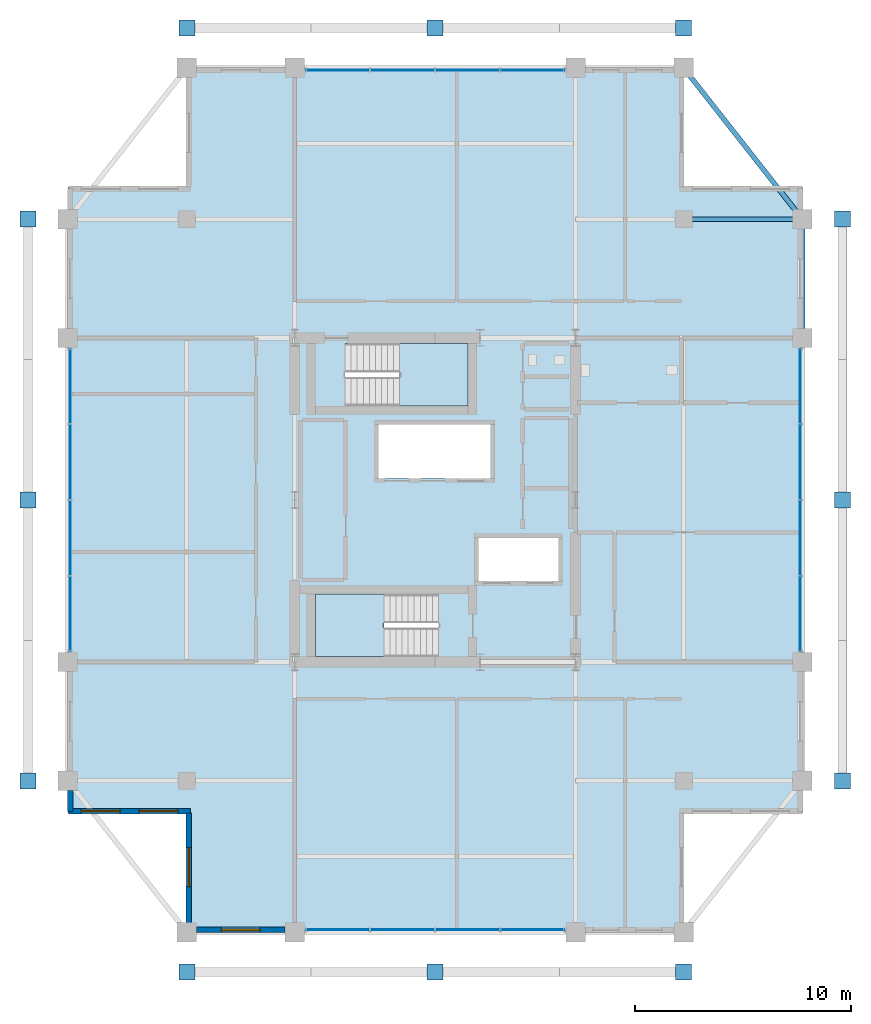
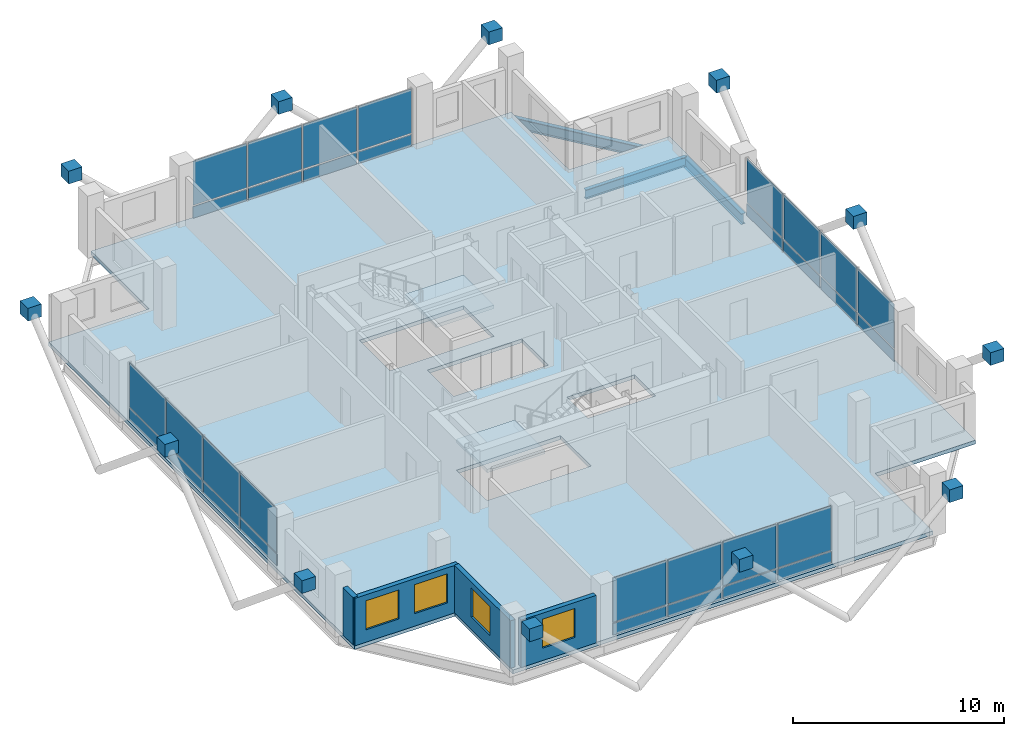
# One storey, part 17 of 22: 44 plates, 4 walls, 4 windows, 3 beams, 3 slabs, 4 openings, 6 elements without a shape of their own.
"""IFC4 building model written with IfcOpenShell, lengths in metres."""

import ifcopenshell
import ifcopenshell.guid

model = None  # the IFC model being written
_history = None  # IfcOwnerHistory: only IFC2X3 demands one
_inside = {}  # id of a spatial element -> (the spatial element, [elements in it])
_under = {}  # id of a project, library or spatial element -> (it, [spatial elements below it])
_declared = {}  # id of a project -> (the project, [libraries it declares])
_typed = {}  # id of a type object -> (the type object, [elements of that type])
_made_of = {}  # id of a material, layer set ... -> (it, [elements and type objects made of it])


def new_model(schema):
    """Start an empty IFC model of exactly this schema.

    Asked for "IFC4X3", IfcOpenShell would pick the latest addendum, in which some entities
    have other attributes; the version numbers below select the first issue.
    IFC2X3 requires an IfcOwnerHistory on every rooted entity: one is made here for all.
    """
    global model, _history
    if schema == "IFC4X3":
        model = ifcopenshell.file(schema_version=(4, 3, 0, 0))
    else:
        model = ifcopenshell.file(schema=schema)
    _inside.clear()
    _under.clear()
    _declared.clear()
    _typed.clear()
    _made_of.clear()
    _history = None
    if model.schema == "IFC2X3":
        org = make("IfcOrganization", Name="unknown")
        user = make(
            "IfcPersonAndOrganization",
            ThePerson=make("IfcPerson", FamilyName="unknown"),
            TheOrganization=org,
        )
        app = make(
            "IfcApplication",
            ApplicationDeveloper=org,
            Version="unknown",
            ApplicationFullName="unknown",
            ApplicationIdentifier="unknown",
        )
        _history = make(
            "IfcOwnerHistory",
            OwningUser=user,
            OwningApplication=app,
            ChangeAction="ADDED",
            CreationDate=0,
        )
    return model


def make(cls, **values):
    """One entity of the class cls with the attributes given. An attribute that is None is left unset."""
    return model.create_entity(
        cls, **{name: value for name, value in values.items() if value is not None}
    )


def rooted(cls, **values):
    """An entity with a GlobalId (a new one), such as an element, a storey or a relation."""
    return make(cls, GlobalId=ifcopenshell.guid.new(), OwnerHistory=_history, **values)


def si_unit(unit_type, name, prefix=None):
    """IfcSIUnit, for example si_unit("LENGTHUNIT", "METRE", prefix="MILLI")."""
    return make("IfcSIUnit", UnitType=unit_type, Prefix=prefix, Name=name)


def assignment(units):
    """IfcUnitAssignment: the units of a project."""
    return None if units is None else make("IfcUnitAssignment", Units=units)


def point(xyz):
    """IfcCartesianPoint."""
    return None if xyz is None else make("IfcCartesianPoint", Coordinates=xyz)


def direction(xyz):
    """IfcDirection."""
    return None if xyz is None else make("IfcDirection", DirectionRatios=xyz)


def frame(location, z_axis=None, x_axis=None):
    """IfcAxis2Placement3D, a coordinate frame: its origin and axes. An axis left out is left unset."""
    return make(
        "IfcAxis2Placement3D",
        Location=point(location),
        Axis=direction(z_axis),
        RefDirection=direction(x_axis),
    )


def frame_2d(location, x_axis=None):
    """IfcAxis2Placement2D, a coordinate frame in the plane: its origin and x axis."""
    return make(
        "IfcAxis2Placement2D", Location=point(location), RefDirection=direction(x_axis)
    )


def origin():
    """The frame at (0, 0, 0) with its axes left unset."""
    return frame((0.0, 0.0, 0.0))


def origin_2d():
    """The frame at (0, 0) in the plane with its x axis left unset."""
    return frame_2d((0.0, 0.0))


def place(relative_to, where):
    """IfcLocalPlacement: puts the frame where relative to a parent placement (None: the world)."""
    return make(
        "IfcLocalPlacement", PlacementRelTo=relative_to, RelativePlacement=where
    )


def context(
    kind, dimensions, precision=None, world=None, true_north=None, identifier=None
):
    """IfcGeometricRepresentationContext, for example the 3D "Model" context."""
    return make(
        "IfcGeometricRepresentationContext",
        ContextIdentifier=identifier,
        ContextType=kind,
        CoordinateSpaceDimension=dimensions,
        Precision=precision,
        WorldCoordinateSystem=world,
        TrueNorth=true_north,
    )


def subcontext(parent, identifier, kind, view, scale=None):
    """IfcGeometricRepresentationSubContext, for example "Body" below "Model"."""
    return make(
        "IfcGeometricRepresentationSubContext",
        ContextIdentifier=identifier,
        ContextType=kind,
        ParentContext=parent,
        TargetScale=scale,
        TargetView=view,
    )


def project(units=None, contexts=None):
    """IfcProject with its units and contexts."""
    return rooted(
        "IfcProject",
        Name="project",
        RepresentationContexts=contexts,
        UnitsInContext=assignment(units),
    )


def spatial(cls, under=None, at=None, **own):
    """A site, building, storey or space (cls), placed at a placement, below another one or the project."""
    s = rooted(cls, ObjectPlacement=at, **own)
    if under is not None:
        _under.setdefault(under.id(), (under, []))[1].append(s)
    return s


def polyline(points):
    """IfcPolyline through the points."""
    return make("IfcPolyline", Points=[point(p) for p in points])


def profile(cls, at=None, kind="AREA", **sizes):
    """A parametric profile (cls). Its sizes go by their IFC names, for example OverallWidth=200.0."""
    return make(cls, ProfileType=kind, Position=at, **sizes)


def rectangle(**sizes):
    """IfcRectangleProfileDef."""
    return profile("IfcRectangleProfileDef", **sizes)


def i_section(**sizes):
    """IfcIShapeProfileDef."""
    return profile("IfcIShapeProfileDef", **sizes)


def outline(outer, holes=None, kind="AREA"):
    """IfcArbitraryClosedProfileDef: a profile drawn as a closed curve; with holes, ...WithVoids."""
    if holes is None:
        return make("IfcArbitraryClosedProfileDef", ProfileType=kind, OuterCurve=outer)
    return make(
        "IfcArbitraryProfileDefWithVoids",
        ProfileType=kind,
        OuterCurve=outer,
        InnerCurves=holes,
    )


def extrude(swept, where, along, depth):
    """IfcExtrudedAreaSolid: the profile swept, set in the frame where, extruded along a direction by depth."""
    return make(
        "IfcExtrudedAreaSolid",
        SweptArea=swept,
        Position=where,
        ExtrudedDirection=direction(along),
        Depth=depth,
    )


def shape(context_of_items, identifier, shape_type, items):
    """IfcShapeRepresentation: the items that make up one representation, for example the "Body"."""
    return make(
        "IfcShapeRepresentation",
        ContextOfItems=context_of_items,
        RepresentationIdentifier=identifier,
        RepresentationType=shape_type,
        Items=items,
    )


def material(Name=None, Category=None):
    """IfcMaterial."""
    return make("IfcMaterial", Name=Name, Category=Category)


def layer(
    of_material, thickness, ventilated=None, Name=None, Category=None, Priority=None
):
    """IfcMaterialLayer: one layer of a wall or slab, of a material (None: an air gap)."""
    return make(
        "IfcMaterialLayer",
        Material=of_material,
        LayerThickness=thickness,
        IsVentilated=ventilated,
        Name=Name,
        Category=Category,
        Priority=Priority,
    )


def layer_set(layers, Name=None):
    """IfcMaterialLayerSet."""
    return make("IfcMaterialLayerSet", MaterialLayers=layers, LayerSetName=Name)


def material_profile(
    of_material, cross_section, Name=None, Category=None, Priority=None
):
    """IfcMaterialProfile: a cross section and its material."""
    return make(
        "IfcMaterialProfile",
        Name=Name,
        Material=of_material,
        Profile=cross_section,
        Priority=Priority,
        Category=Category,
    )


def profile_set(profiles, Name=None, composite=None):
    """IfcMaterialProfileSet."""
    return make(
        "IfcMaterialProfileSet",
        Name=Name,
        MaterialProfiles=profiles,
        CompositeProfile=composite,
    )


def made_of(thing, what):
    """Note that an element or type object is made of a material, layer set ...; save() writes the relation."""
    if what is not None:
        _made_of.setdefault(what.id(), (what, []))[1].append(thing)
    return thing


def type_object(cls, material=None, **own):
    """A type object (cls), such as IfcWallType, which elements share."""
    return made_of(rooted(cls, **own), material)


def element(
    cls,
    number,
    at=None,
    inside=None,
    cuts=None,
    type_object=None,
    material=None,
    context=None,
    identifier="Body",
    shape_type=None,
    held_by="IfcProductDefinitionShape",
    body=None,
    shapes=None,
    **own,
):
    """One element of the class cls, such as IfcWall. Its Tag is "e" and its number.

    at: its placement. inside: the storey or other place that contains it. cuts: it is an
    opening in that element (IfcRelVoidsElement). A single representation is given by context,
    identifier, shape_type and body (its items); several are given by shapes. held_by: the class
    of the entity that holds the representations. save() writes the other relations.
    """
    e = rooted(cls, Tag="e%d" % number, ObjectPlacement=at, **own)
    if body is not None:
        shapes = [shape(context, identifier, shape_type, body)]
    if shapes is not None:
        e.Representation = make(held_by, Representations=shapes)
    if inside is not None:
        _inside.setdefault(inside.id(), (inside, []))[1].append(e)
    if cuts is not None:
        rooted(
            "IfcRelVoidsElement", RelatingBuildingElement=cuts, RelatedOpeningElement=e
        )
    if type_object is not None:
        _typed.setdefault(type_object.id(), (type_object, []))[1].append(e)
    return made_of(e, material)


def fill(opening, filler):
    """IfcRelFillsElement: the door or window that sits in an opening."""
    return rooted(
        "IfcRelFillsElement",
        RelatingOpeningElement=opening,
        RelatedBuildingElement=filler,
    )


def aggregate(whole, parts):
    """IfcRelAggregates: a whole, such as a stair, and the parts it consists of."""
    return rooted("IfcRelAggregates", RelatingObject=whole, RelatedObjects=parts)


def save(model, path):
    """Write the relations noted so far, then the file.

    IfcRelAggregates (storeys below a building ...), IfcRelContainedInSpatialStructure (elements
    in a storey), IfcRelDefinesByType, IfcRelAssociatesMaterial and IfcRelDeclares: one each for
    every whole, place, type object, material and project.
    """
    for whole, parts in _under.values():
        aggregate(whole, parts)
    for where, things in _inside.values():
        rooted(
            "IfcRelContainedInSpatialStructure",
            RelatedElements=things,
            RelatingStructure=where,
        )
    for kind, things in _typed.values():
        rooted("IfcRelDefinesByType", RelatedObjects=things, RelatingType=kind)
    for what, things in _made_of.values():
        rooted("IfcRelAssociatesMaterial", RelatedObjects=things, RelatingMaterial=what)
    for by, libraries in _declared.values():
        rooted("IfcRelDeclares", RelatingContext=by, RelatedDefinitions=libraries)
    model.write(path)


model = new_model("IFC4")

# Units and contexts
model_context = context("Model", 3, precision=1e-05, world=origin(), true_north=direction((0.0, 1.0)))
body_context = subcontext(model_context, "Body", "Model", "MODEL_VIEW")
ifc_project = project(units=[si_unit("LENGTHUNIT", "METRE"), si_unit("AREAUNIT", "SQUARE_METRE"), si_unit("VOLUMEUNIT", "CUBIC_METRE"), si_unit("PLANEANGLEUNIT", "RADIAN"), si_unit("MASSUNIT", "GRAM", prefix="KILO")], contexts=[model_context])

# Site, building, storey
site_placement = place(None, origin())
site = spatial("IfcSite", under=ifc_project, at=site_placement, CompositionType="ELEMENT")
building_placement = place(site_placement, origin())
building = spatial("IfcBuilding", under=site, at=building_placement, Name="Barlavira Tower and Art Museum", CompositionType="ELEMENT")
storey_placement = place(building_placement, frame((0.0, 0.0, 269.10009765625)))
storey = spatial("IfcBuildingStorey", under=building, at=storey_placement, Name="L70", CompositionType="ELEMENT", Elevation=269.10009765625)

# Beams
ifc_material_1 = material(Name="Steel S355", Category="steel")
ifc_material_profile_1 = material_profile(ifc_material_1, i_section(OverallWidth=0.22998046875, OverallDepth=0.616943359375, WebThickness=0.01318359375, FlangeThickness=0.022216796875, at=origin_2d()), Name="W610x140.0")
ifc_profile_set_1 = profile_set([ifc_material_profile_1], Name="Steel S355")
beam_type_1 = type_object("IfcBeamType", Name="Upper Shaft Spandrel Edge Beam W610x140 Steel S355", PredefinedType="SPANDREL", material=ifc_profile_set_1)
beam_1_placement = place(storey_placement, frame((17.0, 7.5, -0.528564453125), z_axis=(0.0, 1.0, 0.0), x_axis=(-1.0, 0.0, 0.0)))
element("IfcBeam", 1, at=beam_1_placement, inside=storey, type_object=beam_type_1, Name="L70 Spandrel 7", PredefinedType="SPANDREL", context=body_context, shape_type="SweptSolid", body=[
    extrude(i_section(OverallWidth=0.22998046875, OverallDepth=0.616943359375, WebThickness=0.01318359375, FlangeThickness=0.022216796875, at=origin_2d()), origin(), (0.0, 0.0, 1.0), 5.5),
])
beam_2_placement = place(storey_placement, frame((17.0, 13.0, -0.528564453125), z_axis=(-0.617821551932, 0.786318338822, 0.0), x_axis=(-0.786318338822, -0.617821551932, 0.0)))
element("IfcBeam", 2, at=beam_2_placement, inside=storey, type_object=beam_type_1, Name="L70 Spandrel 8", PredefinedType="SPANDREL", context=body_context, shape_type="SweptSolid", body=[
    extrude(i_section(OverallWidth=0.22998046875, OverallDepth=0.616943359375, WebThickness=0.01318359375, FlangeThickness=0.022216796875, at=origin_2d()), origin(), (0.0, 0.0, 1.0), 8.90234375),
])
ifc_material_profile_2 = material_profile(ifc_material_1, i_section(OverallWidth=0.2109375, OverallDepth=0.5390625, WebThickness=0.01171875, FlangeThickness=0.018798828125, at=origin_2d()), Name="W530x109.0")
ifc_profile_set_2 = profile_set([ifc_material_profile_2], Name="Steel S355")
beam_type_2 = type_object("IfcBeamType", Name="Zone 3-4 Primary Floor Girder W530x109 Steel S355", PredefinedType="BEAM", material=ifc_profile_set_2)
beam_3_placement = place(storey_placement, frame((11.5, 13.0, -0.489501953125), z_axis=(1.0, 0.0, 0.0), x_axis=(0.0, 1.0, 0.0)))
element("IfcBeam", 3, at=beam_3_placement, inside=storey, type_object=beam_type_2, Name="L70 Girder I-N4", PredefinedType="BEAM", context=body_context, shape_type="SweptSolid", body=[
    extrude(i_section(OverallWidth=0.2109375, OverallDepth=0.5390625, WebThickness=0.01171875, FlangeThickness=0.018798828125, at=origin_2d()), origin(), (0.0, 0.0, 1.0), 5.5),
])

# Curtain wall, plates
ifc_material_2 = material(Name="Low-iron coastal laminated glass", Category="glass")
ifc_layer_1 = layer(ifc_material_2, 0.2099609375, Name="Low-iron coastal laminated glass")
ifc_layer_set_1 = layer_set([ifc_layer_1], Name="Low-iron coastal laminated glass")
curtain_wall_type = type_object("IfcCurtainWallType", Name="Pale-Metal Unitised Curtain Wall Zone 4", PredefinedType="NOTDEFINED", material=ifc_layer_set_1)
curtain_wall_1_placement = place(storey_placement, origin())
curtain_wall_1 = element("IfcCurtainWall", 4, at=curtain_wall_1_placement, inside=storey, type_object=curtain_wall_type, Name="L70 Curtain Wall CW4-L70-S-B2", PredefinedType="NOTDEFINED")
ifc_material_3 = material(Name="Pale anodised aluminium", Category="aluminium")
ifc_layer_2 = layer(ifc_material_3, 0.044921875, Name="Pale anodised aluminium")
ifc_layer_set_2 = layer_set([ifc_layer_2], Name="Pale anodised aluminium")
plate_type_1 = type_object("IfcPlateType", Name="Curtain Wall Pale-Metal Spandrel Panel 45", PredefinedType="CURTAIN_PANEL", material=ifc_layer_set_2)
plate_1_placement = place(storey_placement, frame((-4.5224609375, -19.89990234375, 0.039794921875), z_axis=(0.0, 0.0, 1.0), x_axis=(1.0, 0.0, 0.0)))
plate_1 = element("IfcPlate", 5, at=plate_1_placement, type_object=plate_type_1, Name="CW4-L70-S-B2 Spandrel Panel 0", PredefinedType="CURTAIN_PANEL", context=body_context, shape_type="SweptSolid", body=[
    extrude(rectangle(XDim=2.9150390625, YDim=0.044921875, at=origin_2d()), origin(), (0.0, 0.0, 1.0), 0.6640625),
])
plate_2_placement = place(storey_placement, frame((-1.507568359375, -19.89990234375, 0.039794921875), z_axis=(0.0, 0.0, 1.0), x_axis=(1.0, 0.0, 0.0)))
plate_2 = element("IfcPlate", 6, at=plate_2_placement, type_object=plate_type_1, Name="CW4-L70-S-B2 Spandrel Panel 1", PredefinedType="CURTAIN_PANEL", context=body_context, shape_type="SweptSolid", body=[
    extrude(rectangle(XDim=2.9150390625, YDim=0.044921875, at=origin_2d()), origin(), (0.0, 0.0, 1.0), 0.6640625),
])
plate_3_placement = place(storey_placement, frame((1.507568359375, -19.89990234375, 0.039794921875), z_axis=(0.0, 0.0, 1.0), x_axis=(1.0, 0.0, 0.0)))
plate_3 = element("IfcPlate", 7, at=plate_3_placement, type_object=plate_type_1, Name="CW4-L70-S-B2 Spandrel Panel 2", PredefinedType="CURTAIN_PANEL", context=body_context, shape_type="SweptSolid", body=[
    extrude(rectangle(XDim=2.9150390625, YDim=0.044921875, at=origin_2d()), origin(), (0.0, 0.0, 1.0), 0.6640625),
])
plate_4_placement = place(storey_placement, frame((4.5224609375, -19.89990234375, 0.039794921875), z_axis=(0.0, 0.0, 1.0), x_axis=(1.0, 0.0, 0.0)))
plate_4 = element("IfcPlate", 8, at=plate_4_placement, type_object=plate_type_1, Name="CW4-L70-S-B2 Spandrel Panel 3", PredefinedType="CURTAIN_PANEL", context=body_context, shape_type="SweptSolid", body=[
    extrude(rectangle(XDim=2.9150390625, YDim=0.044921875, at=origin_2d()), origin(), (0.0, 0.0, 1.0), 0.6640625),
])

curtain_wall_2_placement = place(storey_placement, origin())
curtain_wall_2 = element("IfcCurtainWall", 9, at=curtain_wall_2_placement, inside=storey, type_object=curtain_wall_type, Name="L70 Curtain Wall CW4-L70-N-B2", PredefinedType="NOTDEFINED")
plate_5_placement = place(storey_placement, frame((4.5224609375, 19.89990234375, 0.039794921875), z_axis=(0.0, 0.0, 1.0), x_axis=(-1.0, 0.0, 0.0)))
plate_5 = element("IfcPlate", 10, at=plate_5_placement, type_object=plate_type_1, Name="CW4-L70-N-B2 Spandrel Panel 0", PredefinedType="CURTAIN_PANEL", context=body_context, shape_type="SweptSolid", body=[
    extrude(rectangle(XDim=2.9150390625, YDim=0.044921875, at=origin_2d()), origin(), (0.0, 0.0, 1.0), 0.6640625),
])
plate_6_placement = place(storey_placement, frame((1.507568359375, 19.89990234375, 0.039794921875), z_axis=(0.0, 0.0, 1.0), x_axis=(-1.0, 0.0, 0.0)))
plate_6 = element("IfcPlate", 11, at=plate_6_placement, type_object=plate_type_1, Name="CW4-L70-N-B2 Spandrel Panel 1", PredefinedType="CURTAIN_PANEL", context=body_context, shape_type="SweptSolid", body=[
    extrude(rectangle(XDim=2.9150390625, YDim=0.044921875, at=origin_2d()), origin(), (0.0, 0.0, 1.0), 0.6640625),
])
plate_7_placement = place(storey_placement, frame((-1.507568359375, 19.89990234375, 0.039794921875), z_axis=(0.0, 0.0, 1.0), x_axis=(-1.0, 0.0, 0.0)))
plate_7 = element("IfcPlate", 12, at=plate_7_placement, type_object=plate_type_1, Name="CW4-L70-N-B2 Spandrel Panel 2", PredefinedType="CURTAIN_PANEL", context=body_context, shape_type="SweptSolid", body=[
    extrude(rectangle(XDim=2.9150390625, YDim=0.044921875, at=origin_2d()), origin(), (0.0, 0.0, 1.0), 0.6640625),
])
plate_8_placement = place(storey_placement, frame((-4.5224609375, 19.89990234375, 0.039794921875), z_axis=(0.0, 0.0, 1.0), x_axis=(-1.0, 0.0, 0.0)))
plate_8 = element("IfcPlate", 13, at=plate_8_placement, type_object=plate_type_1, Name="CW4-L70-N-B2 Spandrel Panel 3", PredefinedType="CURTAIN_PANEL", context=body_context, shape_type="SweptSolid", body=[
    extrude(rectangle(XDim=2.9150390625, YDim=0.044921875, at=origin_2d()), origin(), (0.0, 0.0, 1.0), 0.6640625),
])

curtain_wall_3_placement = place(storey_placement, origin())
curtain_wall_3 = element("IfcCurtainWall", 14, at=curtain_wall_3_placement, inside=storey, type_object=curtain_wall_type, Name="L70 Curtain Wall CW4-L70-W-B3", PredefinedType="NOTDEFINED")
plate_9_placement = place(storey_placement, frame((-16.89990234375, 5.2724609375, 0.039794921875), z_axis=(0.0, 0.0, 1.0), x_axis=(0.0, -1.0, 0.0)))
plate_9 = element("IfcPlate", 15, at=plate_9_placement, type_object=plate_type_1, Name="CW4-L70-W-B3 Spandrel Panel 0", PredefinedType="CURTAIN_PANEL", context=body_context, shape_type="SweptSolid", body=[
    extrude(rectangle(XDim=3.4150390625, YDim=0.044921875, at=origin_2d()), origin(), (0.0, 0.0, 1.0), 0.6640625),
])
plate_10_placement = place(storey_placement, frame((-16.89990234375, 1.757568359375, 0.039794921875), z_axis=(0.0, 0.0, 1.0), x_axis=(0.0, -1.0, 0.0)))
plate_10 = element("IfcPlate", 16, at=plate_10_placement, type_object=plate_type_1, Name="CW4-L70-W-B3 Spandrel Panel 1", PredefinedType="CURTAIN_PANEL", context=body_context, shape_type="SweptSolid", body=[
    extrude(rectangle(XDim=3.4150390625, YDim=0.044921875, at=origin_2d()), origin(), (0.0, 0.0, 1.0), 0.6640625),
])
plate_11_placement = place(storey_placement, frame((-16.89990234375, -1.757568359375, 0.039794921875), z_axis=(0.0, 0.0, 1.0), x_axis=(0.0, -1.0, 0.0)))
plate_11 = element("IfcPlate", 17, at=plate_11_placement, type_object=plate_type_1, Name="CW4-L70-W-B3 Spandrel Panel 2", PredefinedType="CURTAIN_PANEL", context=body_context, shape_type="SweptSolid", body=[
    extrude(rectangle(XDim=3.4150390625, YDim=0.044921875, at=origin_2d()), origin(), (0.0, 0.0, 1.0), 0.6640625),
])
plate_12_placement = place(storey_placement, frame((-16.89990234375, -5.2724609375, 0.039794921875), z_axis=(0.0, 0.0, 1.0), x_axis=(0.0, -1.0, 0.0)))
plate_12 = element("IfcPlate", 18, at=plate_12_placement, type_object=plate_type_1, Name="CW4-L70-W-B3 Spandrel Panel 3", PredefinedType="CURTAIN_PANEL", context=body_context, shape_type="SweptSolid", body=[
    extrude(rectangle(XDim=3.4150390625, YDim=0.044921875, at=origin_2d()), origin(), (0.0, 0.0, 1.0), 0.6640625),
])

curtain_wall_4_placement = place(storey_placement, origin())
curtain_wall_4 = element("IfcCurtainWall", 19, at=curtain_wall_4_placement, inside=storey, type_object=curtain_wall_type, Name="L70 Curtain Wall CW4-L70-E-B3", PredefinedType="NOTDEFINED")
plate_13_placement = place(storey_placement, frame((16.89990234375, -5.2724609375, 0.039794921875), z_axis=(0.0, 0.0, 1.0), x_axis=(0.0, 1.0, 0.0)))
plate_13 = element("IfcPlate", 20, at=plate_13_placement, type_object=plate_type_1, Name="CW4-L70-E-B3 Spandrel Panel 0", PredefinedType="CURTAIN_PANEL", context=body_context, shape_type="SweptSolid", body=[
    extrude(rectangle(XDim=3.4150390625, YDim=0.044921875, at=origin_2d()), origin(), (0.0, 0.0, 1.0), 0.6640625),
])
plate_14_placement = place(storey_placement, frame((16.89990234375, -1.757568359375, 0.039794921875), z_axis=(0.0, 0.0, 1.0), x_axis=(0.0, 1.0, 0.0)))
plate_14 = element("IfcPlate", 21, at=plate_14_placement, type_object=plate_type_1, Name="CW4-L70-E-B3 Spandrel Panel 1", PredefinedType="CURTAIN_PANEL", context=body_context, shape_type="SweptSolid", body=[
    extrude(rectangle(XDim=3.4150390625, YDim=0.044921875, at=origin_2d()), origin(), (0.0, 0.0, 1.0), 0.6640625),
])
plate_15_placement = place(storey_placement, frame((16.89990234375, 1.757568359375, 0.039794921875), z_axis=(0.0, 0.0, 1.0), x_axis=(0.0, 1.0, 0.0)))
plate_15 = element("IfcPlate", 22, at=plate_15_placement, type_object=plate_type_1, Name="CW4-L70-E-B3 Spandrel Panel 2", PredefinedType="CURTAIN_PANEL", context=body_context, shape_type="SweptSolid", body=[
    extrude(rectangle(XDim=3.4150390625, YDim=0.044921875, at=origin_2d()), origin(), (0.0, 0.0, 1.0), 0.6640625),
])
plate_16_placement = place(storey_placement, frame((16.89990234375, 5.2724609375, 0.039794921875), z_axis=(0.0, 0.0, 1.0), x_axis=(0.0, 1.0, 0.0)))
plate_16 = element("IfcPlate", 23, at=plate_16_placement, type_object=plate_type_1, Name="CW4-L70-E-B3 Spandrel Panel 3", PredefinedType="CURTAIN_PANEL", context=body_context, shape_type="SweptSolid", body=[
    extrude(rectangle(XDim=3.4150390625, YDim=0.044921875, at=origin_2d()), origin(), (0.0, 0.0, 1.0), 0.6640625),
])

# Plate
ifc_layer_3 = layer(ifc_material_2, 0.028076171875, Name="Low-iron coastal laminated glass")
ifc_layer_set_3 = layer_set([ifc_layer_3], Name="Low-iron coastal laminated glass")
plate_type_2 = type_object("IfcPlateType", Name="Curtain Wall Vision Glazing Panel 28", PredefinedType="CURTAIN_PANEL", material=ifc_layer_set_3)
plate_17_placement = place(storey_placement, frame((-4.5224609375, -19.89990234375, 0.7841796875), z_axis=(0.0, 0.0, 1.0), x_axis=(1.0, 0.0, 0.0)))
plate_17 = element("IfcPlate", 24, at=plate_17_placement, type_object=plate_type_2, Name="CW4-L70-S-B2 Vision Glass Panel 0", PredefinedType="CURTAIN_PANEL", context=body_context, shape_type="SweptSolid", body=[
    extrude(rectangle(XDim=2.9150390625, YDim=0.028076171875, at=origin_2d()), origin(), (0.0, 0.0, 1.0), 2.555908203125),
])

plate_18_placement = place(storey_placement, frame((-1.507568359375, -19.89990234375, 0.7841796875), z_axis=(0.0, 0.0, 1.0), x_axis=(1.0, 0.0, 0.0)))
plate_18 = element("IfcPlate", 25, at=plate_18_placement, type_object=plate_type_2, Name="CW4-L70-S-B2 Vision Glass Panel 1", PredefinedType="CURTAIN_PANEL", context=body_context, shape_type="SweptSolid", body=[
    extrude(rectangle(XDim=2.9150390625, YDim=0.028076171875, at=origin_2d()), origin(), (0.0, 0.0, 1.0), 2.555908203125),
])

plate_19_placement = place(storey_placement, frame((1.507568359375, -19.89990234375, 0.7841796875), z_axis=(0.0, 0.0, 1.0), x_axis=(1.0, 0.0, 0.0)))
plate_19 = element("IfcPlate", 26, at=plate_19_placement, type_object=plate_type_2, Name="CW4-L70-S-B2 Vision Glass Panel 2", PredefinedType="CURTAIN_PANEL", context=body_context, shape_type="SweptSolid", body=[
    extrude(rectangle(XDim=2.9150390625, YDim=0.028076171875, at=origin_2d()), origin(), (0.0, 0.0, 1.0), 2.555908203125),
])

plate_20_placement = place(storey_placement, frame((4.5224609375, -19.89990234375, 0.7841796875), z_axis=(0.0, 0.0, 1.0), x_axis=(1.0, 0.0, 0.0)))
plate_20 = element("IfcPlate", 27, at=plate_20_placement, type_object=plate_type_2, Name="CW4-L70-S-B2 Vision Glass Panel 3", PredefinedType="CURTAIN_PANEL", context=body_context, shape_type="SweptSolid", body=[
    extrude(rectangle(XDim=2.9150390625, YDim=0.028076171875, at=origin_2d()), origin(), (0.0, 0.0, 1.0), 2.555908203125),
])

aggregate(curtain_wall_1, [plate_1, plate_17, plate_2, plate_18, plate_3, plate_19, plate_4, plate_20])

plate_21_placement = place(storey_placement, frame((4.5224609375, 19.89990234375, 0.7841796875), z_axis=(0.0, 0.0, 1.0), x_axis=(-1.0, 0.0, 0.0)))
plate_21 = element("IfcPlate", 28, at=plate_21_placement, type_object=plate_type_2, Name="CW4-L70-N-B2 Vision Glass Panel 0", PredefinedType="CURTAIN_PANEL", context=body_context, shape_type="SweptSolid", body=[
    extrude(rectangle(XDim=2.9150390625, YDim=0.028076171875, at=origin_2d()), origin(), (0.0, 0.0, 1.0), 2.555908203125),
])

plate_22_placement = place(storey_placement, frame((1.507568359375, 19.89990234375, 0.7841796875), z_axis=(0.0, 0.0, 1.0), x_axis=(-1.0, 0.0, 0.0)))
plate_22 = element("IfcPlate", 29, at=plate_22_placement, type_object=plate_type_2, Name="CW4-L70-N-B2 Vision Glass Panel 1", PredefinedType="CURTAIN_PANEL", context=body_context, shape_type="SweptSolid", body=[
    extrude(rectangle(XDim=2.9150390625, YDim=0.028076171875, at=origin_2d()), origin(), (0.0, 0.0, 1.0), 2.555908203125),
])

plate_23_placement = place(storey_placement, frame((-1.507568359375, 19.89990234375, 0.7841796875), z_axis=(0.0, 0.0, 1.0), x_axis=(-1.0, 0.0, 0.0)))
plate_23 = element("IfcPlate", 30, at=plate_23_placement, type_object=plate_type_2, Name="CW4-L70-N-B2 Vision Glass Panel 2", PredefinedType="CURTAIN_PANEL", context=body_context, shape_type="SweptSolid", body=[
    extrude(rectangle(XDim=2.9150390625, YDim=0.028076171875, at=origin_2d()), origin(), (0.0, 0.0, 1.0), 2.555908203125),
])

plate_24_placement = place(storey_placement, frame((-4.5224609375, 19.89990234375, 0.7841796875), z_axis=(0.0, 0.0, 1.0), x_axis=(-1.0, 0.0, 0.0)))
plate_24 = element("IfcPlate", 31, at=plate_24_placement, type_object=plate_type_2, Name="CW4-L70-N-B2 Vision Glass Panel 3", PredefinedType="CURTAIN_PANEL", context=body_context, shape_type="SweptSolid", body=[
    extrude(rectangle(XDim=2.9150390625, YDim=0.028076171875, at=origin_2d()), origin(), (0.0, 0.0, 1.0), 2.555908203125),
])

aggregate(curtain_wall_2, [plate_5, plate_21, plate_6, plate_22, plate_7, plate_23, plate_8, plate_24])

plate_25_placement = place(storey_placement, frame((-16.89990234375, 5.2724609375, 0.7841796875), z_axis=(0.0, 0.0, 1.0), x_axis=(0.0, -1.0, 0.0)))
plate_25 = element("IfcPlate", 32, at=plate_25_placement, type_object=plate_type_2, Name="CW4-L70-W-B3 Vision Glass Panel 0", PredefinedType="CURTAIN_PANEL", context=body_context, shape_type="SweptSolid", body=[
    extrude(rectangle(XDim=3.4150390625, YDim=0.028076171875, at=origin_2d()), origin(), (0.0, 0.0, 1.0), 2.555908203125),
])

plate_26_placement = place(storey_placement, frame((-16.89990234375, 1.757568359375, 0.7841796875), z_axis=(0.0, 0.0, 1.0), x_axis=(0.0, -1.0, 0.0)))
plate_26 = element("IfcPlate", 33, at=plate_26_placement, type_object=plate_type_2, Name="CW4-L70-W-B3 Vision Glass Panel 1", PredefinedType="CURTAIN_PANEL", context=body_context, shape_type="SweptSolid", body=[
    extrude(rectangle(XDim=3.4150390625, YDim=0.028076171875, at=origin_2d()), origin(), (0.0, 0.0, 1.0), 2.555908203125),
])

plate_27_placement = place(storey_placement, frame((-16.89990234375, -1.757568359375, 0.7841796875), z_axis=(0.0, 0.0, 1.0), x_axis=(0.0, -1.0, 0.0)))
plate_27 = element("IfcPlate", 34, at=plate_27_placement, type_object=plate_type_2, Name="CW4-L70-W-B3 Vision Glass Panel 2", PredefinedType="CURTAIN_PANEL", context=body_context, shape_type="SweptSolid", body=[
    extrude(rectangle(XDim=3.4150390625, YDim=0.028076171875, at=origin_2d()), origin(), (0.0, 0.0, 1.0), 2.555908203125),
])

plate_28_placement = place(storey_placement, frame((-16.89990234375, -5.2724609375, 0.7841796875), z_axis=(0.0, 0.0, 1.0), x_axis=(0.0, -1.0, 0.0)))
plate_28 = element("IfcPlate", 35, at=plate_28_placement, type_object=plate_type_2, Name="CW4-L70-W-B3 Vision Glass Panel 3", PredefinedType="CURTAIN_PANEL", context=body_context, shape_type="SweptSolid", body=[
    extrude(rectangle(XDim=3.4150390625, YDim=0.028076171875, at=origin_2d()), origin(), (0.0, 0.0, 1.0), 2.555908203125),
])

aggregate(curtain_wall_3, [plate_9, plate_25, plate_10, plate_26, plate_11, plate_27, plate_12, plate_28])

plate_29_placement = place(storey_placement, frame((16.89990234375, -5.2724609375, 0.7841796875), z_axis=(0.0, 0.0, 1.0), x_axis=(0.0, 1.0, 0.0)))
plate_29 = element("IfcPlate", 36, at=plate_29_placement, type_object=plate_type_2, Name="CW4-L70-E-B3 Vision Glass Panel 0", PredefinedType="CURTAIN_PANEL", context=body_context, shape_type="SweptSolid", body=[
    extrude(rectangle(XDim=3.4150390625, YDim=0.028076171875, at=origin_2d()), origin(), (0.0, 0.0, 1.0), 2.555908203125),
])

plate_30_placement = place(storey_placement, frame((16.89990234375, -1.757568359375, 0.7841796875), z_axis=(0.0, 0.0, 1.0), x_axis=(0.0, 1.0, 0.0)))
plate_30 = element("IfcPlate", 37, at=plate_30_placement, type_object=plate_type_2, Name="CW4-L70-E-B3 Vision Glass Panel 1", PredefinedType="CURTAIN_PANEL", context=body_context, shape_type="SweptSolid", body=[
    extrude(rectangle(XDim=3.4150390625, YDim=0.028076171875, at=origin_2d()), origin(), (0.0, 0.0, 1.0), 2.555908203125),
])

plate_31_placement = place(storey_placement, frame((16.89990234375, 1.757568359375, 0.7841796875), z_axis=(0.0, 0.0, 1.0), x_axis=(0.0, 1.0, 0.0)))
plate_31 = element("IfcPlate", 38, at=plate_31_placement, type_object=plate_type_2, Name="CW4-L70-E-B3 Vision Glass Panel 2", PredefinedType="CURTAIN_PANEL", context=body_context, shape_type="SweptSolid", body=[
    extrude(rectangle(XDim=3.4150390625, YDim=0.028076171875, at=origin_2d()), origin(), (0.0, 0.0, 1.0), 2.555908203125),
])

plate_32_placement = place(storey_placement, frame((16.89990234375, 5.2724609375, 0.7841796875), z_axis=(0.0, 0.0, 1.0), x_axis=(0.0, 1.0, 0.0)))
plate_32 = element("IfcPlate", 39, at=plate_32_placement, type_object=plate_type_2, Name="CW4-L70-E-B3 Vision Glass Panel 3", PredefinedType="CURTAIN_PANEL", context=body_context, shape_type="SweptSolid", body=[
    extrude(rectangle(XDim=3.4150390625, YDim=0.028076171875, at=origin_2d()), origin(), (0.0, 0.0, 1.0), 2.555908203125),
])

aggregate(curtain_wall_4, [plate_13, plate_29, plate_14, plate_30, plate_15, plate_31, plate_16, plate_32])

# Plates
ifc_layer_4 = layer(ifc_material_1, 0.739990234375, Name="Steel S355")
ifc_layer_set_4 = layer_set([ifc_layer_4], Name="Steel S355")
plate_type_3 = type_object("IfcPlateType", Name="Exoskeleton Solid Steel Node Cap Plate Assembly Type 4 Steel S355", PredefinedType="USERDEFINED", material=ifc_layer_set_4)
for number, where, z_axis, x_axis, name in (
    (40, (-11.5, -21.85009765625, 3.10986328125), (0.0, 0.0, 1.0), (1.0, 0.0, 0.0), "Exoskeleton Node S ND-L70-0765"),
    (41, (0.0, -21.85009765625, 3.10986328125), (0.0, 0.0, 1.0), (1.0, 0.0, 0.0), "Exoskeleton Node S ND-L70-0766"),
    (42, (11.5, -21.85009765625, 3.10986328125), (0.0, 0.0, 1.0), (1.0, 0.0, 0.0), "Exoskeleton Node S ND-L70-0767"),
    (43, (-11.5, 21.85009765625, 3.10986328125), (0.0, 0.0, 1.0), (1.0, 0.0, 0.0), "Exoskeleton Node N ND-L70-0773"),
    (44, (0.0, 21.85009765625, 3.10986328125), (0.0, 0.0, 1.0), (1.0, 0.0, 0.0), "Exoskeleton Node N ND-L70-0774"),
    (45, (11.5, 21.85009765625, 3.10986328125), (0.0, 0.0, 1.0), (1.0, 0.0, 0.0), "Exoskeleton Node N ND-L70-0775"),
    (46, (-18.85009765625, -13.0, 3.10986328125), (0.0, 0.0, 1.0), (1.0, 0.0, 0.0), "Exoskeleton Node W ND-L70-0781"),
    (47, (-18.85009765625, 0.0, 3.10986328125), (0.0, 0.0, 1.0), (1.0, 0.0, 0.0), "Exoskeleton Node W ND-L70-0782"),
    (48, (-18.85009765625, 13.0, 3.10986328125), (0.0, 0.0, 1.0), (1.0, 0.0, 0.0), "Exoskeleton Node W ND-L70-0783"),
    (49, (18.85009765625, -13.0, 3.10986328125), (0.0, 0.0, 1.0), (1.0, 0.0, 0.0), "Exoskeleton Node E ND-L70-0789"),
    (50, (18.85009765625, 0.0, 3.10986328125), (0.0, 0.0, 1.0), (1.0, 0.0, 0.0), "Exoskeleton Node E ND-L70-0790"),
    (51, (18.85009765625, 13.0, 3.10986328125), (0.0, 0.0, 1.0), (1.0, 0.0, 0.0), "Exoskeleton Node E ND-L70-0791"),
):
    element("IfcPlate", number, at=place(storey_placement, frame(where, z_axis=z_axis, x_axis=x_axis)), inside=storey, type_object=plate_type_3, Name=name, ObjectType="FLANGE_PLATE", PredefinedType="USERDEFINED", context=body_context, shape_type="SweptSolid", body=[
        extrude(rectangle(XDim=0.739990234375, YDim=0.739990234375, at=origin_2d()), origin(), (0.0, 0.0, 1.0), 0.739990234375),
    ])

# Stair, slab
ifc_material_4 = material(Name="Concrete C45", Category="concrete")
stair_type_1 = type_object("IfcStairType", Name="Tower North Dog-Leg Exit Stair Assembly Concrete C45", PredefinedType="TWO_QUARTER_TURN_STAIR", material=ifc_material_4)
stair_1_placement = place(storey_placement, origin())
stair_1 = element("IfcStair", 52, at=stair_1_placement, inside=storey, type_object=stair_type_1, Name="L70 Tower North Exit Stair ST-T2", PredefinedType="TWO_QUARTER_TURN_STAIR")
ifc_layer_5 = layer(ifc_material_4, 0.199951171875, Name="Concrete C45")
ifc_layer_set_5 = layer_set([ifc_layer_5], Name="Concrete C45")
slab_type_1 = type_object("IfcSlabType", Name="Tower North Dog-Leg Exit Stair Half-Landing Slab 200 Concrete C45", PredefinedType="LANDING", material=ifc_layer_set_5)
slab_1_placement = place(storey_placement, frame((0.0, 0.0, 1.599853515625)))
slab_1 = element("IfcSlab", 53, at=slab_1_placement, type_object=slab_type_1, Name="ST-T2 landing 1", PredefinedType="LANDING", context=body_context, shape_type="SweptSolid", body=[
    extrude(outline(polyline([(-1.64990234375, 4.35009765625), (1.530029296875, 4.35009765625), (1.530029296875, 7.25), (-1.64990234375, 7.25), (-1.64990234375, 4.35009765625)])), origin(), (0.0, 0.0, 1.0), 0.199951171875),
])
aggregate(stair_1, [slab_1])

stair_type_2 = type_object("IfcStairType", Name="Tower South Dog-Leg Exit Stair Assembly Concrete C45", PredefinedType="TWO_QUARTER_TURN_STAIR", material=ifc_material_4)
stair_2_placement = place(storey_placement, origin())
stair_2 = element("IfcStair", 54, at=stair_2_placement, inside=storey, type_object=stair_type_2, Name="L70 Tower South Exit Stair ST-T1", PredefinedType="TWO_QUARTER_TURN_STAIR")
ifc_layer_6 = layer(ifc_material_4, 0.199951171875, Name="Concrete C45")
ifc_layer_set_6 = layer_set([ifc_layer_6], Name="Concrete C45")
slab_type_2 = type_object("IfcSlabType", Name="Tower South Dog-Leg Exit Stair Half-Landing Slab 200 Concrete C45", PredefinedType="LANDING", material=ifc_layer_set_6)
slab_2_placement = place(storey_placement, frame((0.0, 0.0, 1.599853515625)))
slab_2 = element("IfcSlab", 55, at=slab_2_placement, type_object=slab_type_2, Name="ST-T1 landing 1", PredefinedType="LANDING", context=body_context, shape_type="SweptSolid", body=[
    extrude(outline(polyline([(-2.3701171875, -4.35009765625), (-5.550048828125, -4.35009765625), (-5.550048828125, -7.25), (-2.3701171875, -7.25), (-2.3701171875, -4.35009765625)])), origin(), (0.0, 0.0, 1.0), 0.199951171875),
])
aggregate(stair_2, [slab_2])

# Slab
ifc_material_5 = material(Name="Concrete C50", Category="concrete")
ifc_layer_7 = layer(ifc_material_5, 0.18994140625, Name="Concrete C50")
ifc_layer_set_7 = layer_set([ifc_layer_7], Name="Concrete C50")
slab_type_3 = type_object("IfcSlabType", Name="Zone 4 Residential Composite Slab 190 Concrete C50", PredefinedType="FLOOR", material=ifc_layer_set_7)
slab_3_placement = place(storey_placement, frame((0.0, 0.0, -0.22021484375)))
element("IfcSlab", 56, at=slab_3_placement, inside=storey, type_object=slab_type_3, Name="L70 Tower Floor Slab", PredefinedType="FLOOR", context=body_context, shape_type="SweptSolid", body=[
    extrude(outline(polyline([(-11.5, -20.0), (11.5, -20.0), (11.5, -14.5), (17.0, -14.5), (17.0, 14.5), (11.5, 14.5), (11.5, 20.0), (-11.5, 20.0), (-11.5, 14.5), (-17.0, 14.5), (-17.0, -14.5), (-11.5, -14.5), (-11.5, -20.0)]), holes=[polyline([(0.14990234375, -4.35009765625), (-5.550048828125, -4.35009765625), (-5.550048828125, -7.25), (0.14990234375, -7.25), (0.14990234375, -4.35009765625)]), polyline([(-4.169921875, 4.35009765625), (1.530029296875, 4.35009765625), (1.530029296875, 7.25), (-4.169921875, 7.25), (-4.169921875, 4.35009765625)]), polyline([(-2.6201171875, 1.0), (2.56005859375, 1.0), (2.56005859375, 3.5), (-2.6201171875, 3.5), (-2.6201171875, 1.0)]), polyline([(2.0, -3.75), (5.699951171875, -3.75), (5.699951171875, -1.75), (2.0, -1.75), (2.0, -3.75)])]), origin(), (0.0, 0.0, 1.0), 0.22021484375),
])

# Wall, opening, window
ifc_material_6 = material(Name="Precast concrete C40", Category="concrete")
ifc_layer_8 = layer(ifc_material_6, 0.25, Name="Precast concrete C40")
ifc_layer_set_8 = layer_set([ifc_layer_8], Name="Precast concrete C40")
wall_type = type_object("IfcWallType", Name="Notched Corner Spandrel Wall 250 Precast Concrete C40", PredefinedType="SOLIDWALL", material=ifc_layer_set_8)
wall_1_placement = place(storey_placement, frame((-11.054931640625, -19.89990234375, 0.0), z_axis=(0.0, 0.0, 1.0), x_axis=(1.0, 0.0, 0.0)))
wall_1 = element("IfcWall", 57, at=wall_1_placement, inside=storey, type_object=wall_type, Name="L70 Coastal Facade Pier Wall CW4-L70-S-1", PredefinedType="SOLIDWALL", context=body_context, shape_type="SweptSolid", body=[
    extrude(rectangle(XDim=4.10986328125, YDim=0.25, at=frame_2d((2.054931640625, 0.0))), origin(), (0.0, 0.0, 1.0), 2.747802734375),
])
opening_1_placement = place(wall_1_placement, frame((1.155029296875, 0.0, 0.719970703125)))
opening_1 = element("IfcOpeningElement", 58, at=opening_1_placement, cuts=wall_1, Name="Opening WN-01", PredefinedType="OPENING", context=body_context, shape_type="SweptSolid", body=[
    extrude(rectangle(XDim=1.800048828125, YDim=1.679931640625, at=frame_2d((0.89990234375, 0.83984375))), frame((0.0, 0.135009765625, 0.0), z_axis=(0.0, -1.0, 0.0), x_axis=(1.0, 0.0, 0.0)), (0.0, 0.0, 1.0), 0.27001953125),
])
window_type = type_object("IfcWindowType", Name="Recessed Notch Corner Punch Window 1800x1680", PartitioningType="SINGLE_PANEL", PredefinedType="WINDOW", material=ifc_material_2)
window_1_placement = place(opening_1_placement, origin())
window_1 = element("IfcWindow", 59, at=window_1_placement, inside=storey, type_object=window_type, Name="L70 Punched Facade Window EWP-CW4-L70-S-1-1", OverallHeight=1.679931640625, OverallWidth=1.800048828125, PartitioningType="SINGLE_PANEL", PredefinedType="WINDOW", context=body_context, shape_type="SweptSolid", body=[
    extrude(rectangle(XDim=1.800048828125, YDim=1.679931640625, at=frame_2d((0.89990234375, 0.83984375))), frame((0.0, 0.030029296875, 0.0), z_axis=(0.0, -1.0, 0.0), x_axis=(1.0, 0.0, 0.0)), (0.0, 0.0, 1.0), 0.06005859375),
])
fill(opening_1, window_1)

# Wall
wall_2_placement = place(storey_placement, frame((-16.89990234375, -13.445068359375, 0.0), z_axis=(0.0, 0.0, 1.0), x_axis=(0.0, -1.0, 0.0)))
element("IfcWall", 60, at=wall_2_placement, inside=storey, type_object=wall_type, Name="L70 Coastal Facade Pier Wall CW4-L70-W-5", PredefinedType="SOLIDWALL", context=body_context, shape_type="SweptSolid", body=[
    extrude(rectangle(XDim=0.97998046875, YDim=0.25, at=frame_2d((0.489990234375, 0.0))), origin(), (0.0, 0.0, 1.0), 2.747802734375),
])

# Wall, openings, windows
wall_3_placement = place(storey_placement, frame((-16.97998046875, -14.39990234375, 0.0), z_axis=(0.0, 0.0, 1.0), x_axis=(1.0, 0.0, 0.0)))
wall_3 = element("IfcWall", 61, at=wall_3_placement, inside=storey, type_object=wall_type, Name="L70 Notch Corner Wall SW1", PredefinedType="SOLIDWALL", context=body_context, shape_type="SweptSolid", body=[
    extrude(rectangle(XDim=5.659912109375, YDim=0.25, at=frame_2d((2.830078125, 0.0))), origin(), (0.0, 0.0, 1.0), 2.747802734375),
])
opening_2_placement = place(wall_3_placement, frame((0.594970703125, 0.0, 0.719970703125)))
opening_2 = element("IfcOpeningElement", 62, at=opening_2_placement, cuts=wall_3, Name="Opening WN-01", PredefinedType="OPENING", context=body_context, shape_type="SweptSolid", body=[
    extrude(rectangle(XDim=1.800048828125, YDim=1.679931640625, at=frame_2d((0.89990234375, 0.83984375))), frame((0.0, 0.135009765625, 0.0), z_axis=(0.0, -1.0, 0.0), x_axis=(1.0, 0.0, 0.0)), (0.0, 0.0, 1.0), 0.27001953125),
])
opening_3_placement = place(wall_3_placement, frame((3.264892578125, 0.0, 0.719970703125)))
opening_3 = element("IfcOpeningElement", 63, at=opening_3_placement, cuts=wall_3, Name="Opening WN-01", PredefinedType="OPENING", context=body_context, shape_type="SweptSolid", body=[
    extrude(rectangle(XDim=1.800048828125, YDim=1.679931640625, at=frame_2d((0.89990234375, 0.83984375))), frame((0.0, 0.135009765625, 0.0), z_axis=(0.0, -1.0, 0.0), x_axis=(1.0, 0.0, 0.0)), (0.0, 0.0, 1.0), 0.27001953125),
])
window_2_placement = place(opening_2_placement, origin())
window_2 = element("IfcWindow", 64, at=window_2_placement, inside=storey, type_object=window_type, Name="L70 Punched Facade Window EW-NTC-L70-SW1-1", OverallHeight=1.679931640625, OverallWidth=1.800048828125, PartitioningType="SINGLE_PANEL", PredefinedType="WINDOW", context=body_context, shape_type="SweptSolid", body=[
    extrude(rectangle(XDim=1.800048828125, YDim=1.679931640625, at=frame_2d((0.89990234375, 0.83984375))), frame((0.0, 0.030029296875, 0.0), z_axis=(0.0, -1.0, 0.0), x_axis=(1.0, 0.0, 0.0)), (0.0, 0.0, 1.0), 0.06005859375),
])
fill(opening_2, window_2)
window_3_placement = place(opening_3_placement, origin())
window_3 = element("IfcWindow", 65, at=window_3_placement, inside=storey, type_object=window_type, Name="L70 Punched Facade Window EW-NTC-L70-SW1-2", OverallHeight=1.679931640625, OverallWidth=1.800048828125, PartitioningType="SINGLE_PANEL", PredefinedType="WINDOW", context=body_context, shape_type="SweptSolid", body=[
    extrude(rectangle(XDim=1.800048828125, YDim=1.679931640625, at=frame_2d((0.89990234375, 0.83984375))), frame((0.0, 0.030029296875, 0.0), z_axis=(0.0, -1.0, 0.0), x_axis=(1.0, 0.0, 0.0)), (0.0, 0.0, 1.0), 0.06005859375),
])
fill(opening_3, window_3)

# Wall, opening, window
wall_4_placement = place(storey_placement, frame((-11.39990234375, -14.47998046875, 0.0), z_axis=(0.0, 0.0, 1.0), x_axis=(0.0, -1.0, 0.0)))
wall_4 = element("IfcWall", 66, at=wall_4_placement, inside=storey, type_object=wall_type, Name="L70 Notch Corner Wall SW2", PredefinedType="SOLIDWALL", context=body_context, shape_type="SweptSolid", body=[
    extrude(rectangle(XDim=5.340087890625, YDim=0.25, at=frame_2d((2.669921875, 0.0))), origin(), (0.0, 0.0, 1.0), 2.747802734375),
])
opening_4_placement = place(wall_4_placement, frame((1.614990234375, 0.0, 0.719970703125)))
opening_4 = element("IfcOpeningElement", 67, at=opening_4_placement, cuts=wall_4, Name="Opening WN-01", PredefinedType="OPENING", context=body_context, shape_type="SweptSolid", body=[
    extrude(rectangle(XDim=1.800048828125, YDim=1.679931640625, at=frame_2d((0.89990234375, 0.83984375))), frame((0.0, 0.135009765625, 0.0), z_axis=(0.0, -1.0, 0.0), x_axis=(1.0, 0.0, 0.0)), (0.0, 0.0, 1.0), 0.27001953125),
])
window_4_placement = place(opening_4_placement, origin())
window_4 = element("IfcWindow", 68, at=window_4_placement, inside=storey, type_object=window_type, Name="L70 Punched Facade Window EW-NTC-L70-SW2-1", OverallHeight=1.679931640625, OverallWidth=1.800048828125, PartitioningType="SINGLE_PANEL", PredefinedType="WINDOW", context=body_context, shape_type="SweptSolid", body=[
    extrude(rectangle(XDim=1.800048828125, YDim=1.679931640625, at=frame_2d((0.89990234375, 0.83984375))), frame((0.0, 0.030029296875, 0.0), z_axis=(0.0, -1.0, 0.0), x_axis=(1.0, 0.0, 0.0)), (0.0, 0.0, 1.0), 0.06005859375),
])
fill(opening_4, window_4)

save(model, "model.ifc")
